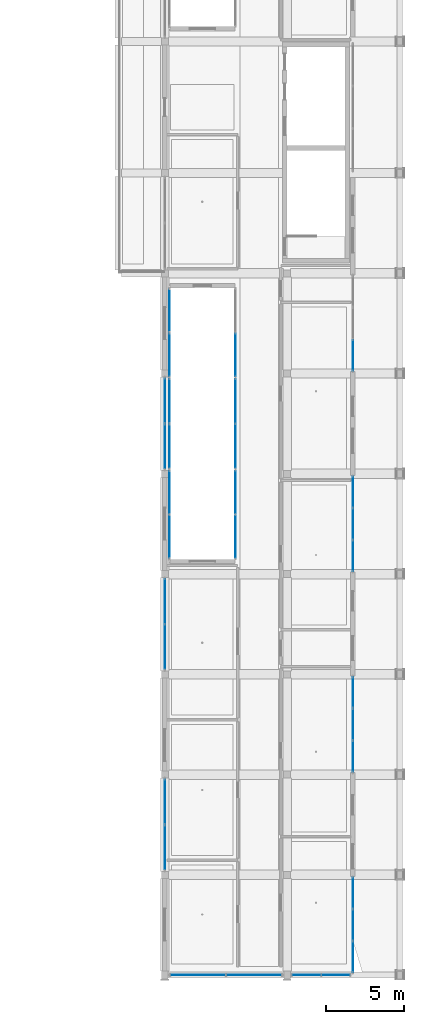
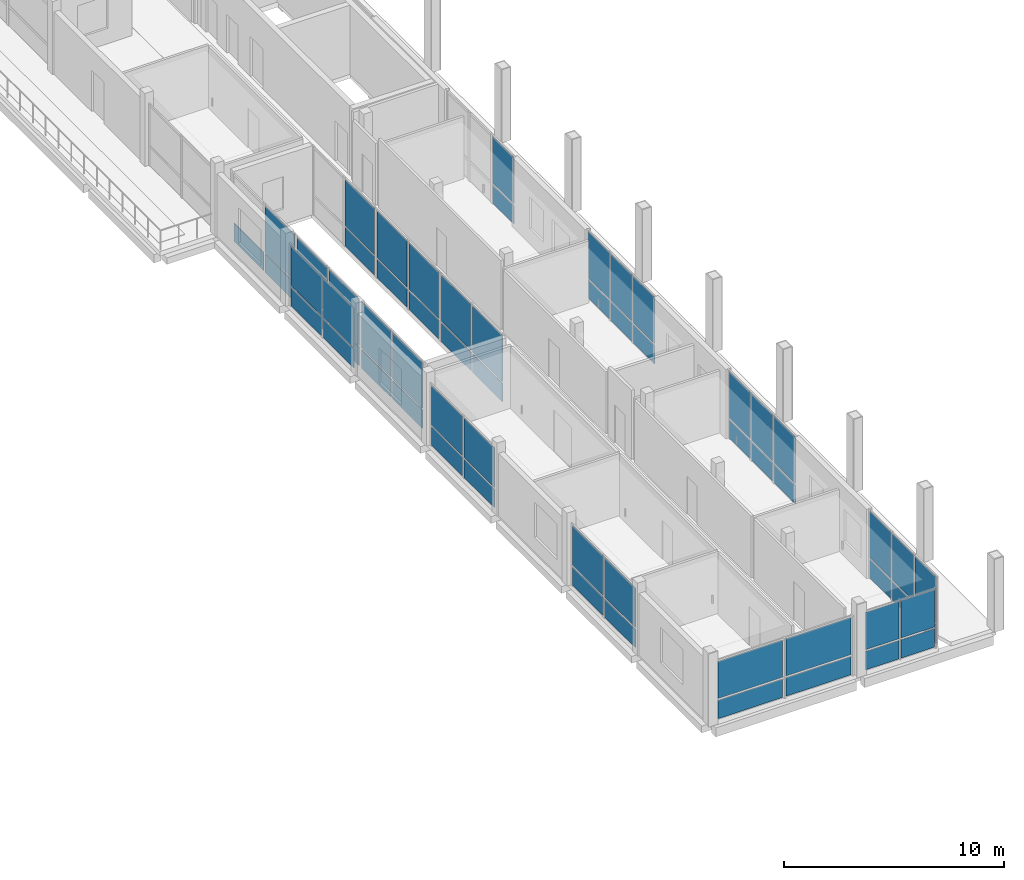
# One storey, part 19 of 48: 61 plates, 15 elements without a shape of their own.
"""IFC4 building model written with IfcOpenShell, lengths in metres."""

from ifc_helpers import new_model, si_unit, derived_unit, direction, frame, origin, origin_2d, place, context, subcontext, project, spatial, rectangle, extrude, material, type_object, element, aggregate, save


model = new_model("IFC4")

# Units and contexts
model_context = context("Model", 3, precision=1e-05, world=origin(), true_north=direction((0.0, 1.0)))
body_context = subcontext(model_context, "Body", "Model", "MODEL_VIEW")
ifc_project = project(units=[si_unit("LENGTHUNIT", "METRE"), si_unit("AREAUNIT", "SQUARE_METRE"), si_unit("VOLUMEUNIT", "CUBIC_METRE"), si_unit("PLANEANGLEUNIT", "RADIAN"), si_unit("MASSUNIT", "GRAM", prefix="KILO"), derived_unit("THERMALTRANSMITTANCEUNIT", [(si_unit("POWERUNIT", "WATT"), 1), (si_unit("LENGTHUNIT", "METRE"), -2), (si_unit("THERMODYNAMICTEMPERATUREUNIT", "KELVIN"), -1)])], contexts=[model_context])

# Site, building, storey
site_placement = place(None, origin())
site = spatial("IfcSite", under=ifc_project, at=site_placement, CompositionType="ELEMENT")
building_placement = place(site_placement, origin())
building = spatial("IfcBuilding", under=site, at=building_placement, Name="Braskholm Square Health Centre", CompositionType="ELEMENT")
storey_placement = place(building_placement, frame((0.0, 0.0, 17.550048828125)))
storey = spatial("IfcBuildingStorey", under=building, at=storey_placement, Name="L05", CompositionType="ELEMENT", Elevation=17.550048828125)

# Curtain wall, plates
ifc_material_1 = material(Name="Low-E triple insulating glass (VLT 0.64)", Category="glass")
curtain_wall_type_1 = type_object("IfcCurtainWallType", Name="UnitisedCurtainWall6200x3800", PredefinedType="NOTDEFINED", material=ifc_material_1)
curtain_wall_1_placement = place(storey_placement, origin())
curtain_wall_1 = element("IfcCurtainWall", 1, at=curtain_wall_1_placement, inside=storey, type_object=curtain_wall_type_1, Name="East Crown unitised curtain wall CW-L05-0076", PredefinedType="NOTDEFINED")
ifc_material_2 = material(Name="Architectural bronze anodised aluminium", Category="aluminium")
plate_type_1 = type_object("IfcPlateType", Name="CurtainPanelSpandrel1850x1020", PredefinedType="CURTAIN_PANEL", material=ifc_material_2)
plate_1_placement = place(storey_placement, frame((160.800048828125, 5.3466796875, 0.050048828125), z_axis=(0.0, 0.0, 1.0), x_axis=(0.0, 1.0, 0.0)))
plate_1 = element("IfcPlate", 2, at=plate_1_placement, type_object=plate_type_1, Name="CW-L05-0076 spandrel panel 1", PredefinedType="CURTAIN_PANEL", context=body_context, shape_type="SweptSolid", body=[
    extrude(rectangle(XDim=1.93017578125, YDim=0.035888671875, at=origin_2d()), origin(), (0.0, 0.0, 1.0), 1.02001953125),
])
plate_2_placement = place(storey_placement, frame((160.800048828125, 7.39990234375, 0.050048828125), z_axis=(0.0, 0.0, 1.0), x_axis=(0.0, 1.0, 0.0)))
plate_2 = element("IfcPlate", 3, at=plate_2_placement, type_object=plate_type_1, Name="CW-L05-0076 spandrel panel 2", PredefinedType="CURTAIN_PANEL", context=body_context, shape_type="SweptSolid", body=[
    extrude(rectangle(XDim=1.93017578125, YDim=0.035888671875, at=origin_2d()), origin(), (0.0, 0.0, 1.0), 1.02001953125),
])
plate_3_placement = place(storey_placement, frame((160.800048828125, 9.453369140625, 0.050048828125), z_axis=(0.0, 0.0, 1.0), x_axis=(0.0, 1.0, 0.0)))
plate_3 = element("IfcPlate", 4, at=plate_3_placement, type_object=plate_type_1, Name="CW-L05-0076 spandrel panel 3", PredefinedType="CURTAIN_PANEL", context=body_context, shape_type="SweptSolid", body=[
    extrude(rectangle(XDim=1.93017578125, YDim=0.035888671875, at=origin_2d()), origin(), (0.0, 0.0, 1.0), 1.02001953125),
])

curtain_wall_2_placement = place(storey_placement, origin())
curtain_wall_2 = element("IfcCurtainWall", 5, at=curtain_wall_2_placement, inside=storey, type_object=curtain_wall_type_1, Name="East Crown unitised curtain wall CW-L05-0077", PredefinedType="NOTDEFINED")
plate_4_placement = place(storey_placement, frame((160.800048828125, 18.146728515625, 0.050048828125), z_axis=(0.0, 0.0, 1.0), x_axis=(0.0, 1.0, 0.0)))
plate_4 = element("IfcPlate", 6, at=plate_4_placement, type_object=plate_type_1, Name="CW-L05-0077 spandrel panel 1", PredefinedType="CURTAIN_PANEL", context=body_context, shape_type="SweptSolid", body=[
    extrude(rectangle(XDim=1.93017578125, YDim=0.035888671875, at=origin_2d()), origin(), (0.0, 0.0, 1.0), 1.02001953125),
])
plate_5_placement = place(storey_placement, frame((160.800048828125, 20.199951171875, 0.050048828125), z_axis=(0.0, 0.0, 1.0), x_axis=(0.0, 1.0, 0.0)))
plate_5 = element("IfcPlate", 7, at=plate_5_placement, type_object=plate_type_1, Name="CW-L05-0077 spandrel panel 2", PredefinedType="CURTAIN_PANEL", context=body_context, shape_type="SweptSolid", body=[
    extrude(rectangle(XDim=1.93017578125, YDim=0.035888671875, at=origin_2d()), origin(), (0.0, 0.0, 1.0), 1.02001953125),
])
plate_6_placement = place(storey_placement, frame((160.800048828125, 22.25341796875, 0.050048828125), z_axis=(0.0, 0.0, 1.0), x_axis=(0.0, 1.0, 0.0)))
plate_6 = element("IfcPlate", 8, at=plate_6_placement, type_object=plate_type_1, Name="CW-L05-0077 spandrel panel 3", PredefinedType="CURTAIN_PANEL", context=body_context, shape_type="SweptSolid", body=[
    extrude(rectangle(XDim=1.93017578125, YDim=0.035888671875, at=origin_2d()), origin(), (0.0, 0.0, 1.0), 1.02001953125),
])

curtain_wall_3_placement = place(storey_placement, origin())
curtain_wall_3 = element("IfcCurtainWall", 9, at=curtain_wall_3_placement, inside=storey, type_object=curtain_wall_type_1, Name="East Crown unitised curtain wall CW-L05-0078", PredefinedType="NOTDEFINED")
plate_7_placement = place(storey_placement, frame((160.800048828125, 30.94677734375, 0.050048828125), z_axis=(0.0, 0.0, 1.0), x_axis=(0.0, 1.0, 0.0)))
plate_7 = element("IfcPlate", 10, at=plate_7_placement, type_object=plate_type_1, Name="CW-L05-0078 spandrel panel 1", PredefinedType="CURTAIN_PANEL", context=body_context, shape_type="SweptSolid", body=[
    extrude(rectangle(XDim=1.93017578125, YDim=0.035888671875, at=origin_2d()), origin(), (0.0, 0.0, 1.0), 1.02001953125),
])
plate_8_placement = place(storey_placement, frame((160.800048828125, 33.0, 0.050048828125), z_axis=(0.0, 0.0, 1.0), x_axis=(0.0, 1.0, 0.0)))
plate_8 = element("IfcPlate", 11, at=plate_8_placement, type_object=plate_type_1, Name="CW-L05-0078 spandrel panel 2", PredefinedType="CURTAIN_PANEL", context=body_context, shape_type="SweptSolid", body=[
    extrude(rectangle(XDim=1.93017578125, YDim=0.035888671875, at=origin_2d()), origin(), (0.0, 0.0, 1.0), 1.02001953125),
])
plate_9_placement = place(storey_placement, frame((160.800048828125, 35.05322265625, 0.050048828125), z_axis=(0.0, 0.0, 1.0), x_axis=(0.0, 1.0, 0.0)))
plate_9 = element("IfcPlate", 12, at=plate_9_placement, type_object=plate_type_1, Name="CW-L05-0078 spandrel panel 3", PredefinedType="CURTAIN_PANEL", context=body_context, shape_type="SweptSolid", body=[
    extrude(rectangle(XDim=1.93017578125, YDim=0.035888671875, at=origin_2d()), origin(), (0.0, 0.0, 1.0), 1.02001953125),
])

# Curtain wall, plate
curtain_wall_4_placement = place(storey_placement, origin())
curtain_wall_4 = element("IfcCurtainWall", 13, at=curtain_wall_4_placement, inside=storey, type_object=curtain_wall_type_1, Name="East Crown unitised curtain wall CW-L05-0079", PredefinedType="NOTDEFINED")
plate_10_placement = place(storey_placement, frame((160.800048828125, 43.74658203125, 0.050048828125), z_axis=(0.0, 0.0, 1.0), x_axis=(0.0, 1.0, 0.0)))
plate_10 = element("IfcPlate", 14, at=plate_10_placement, type_object=plate_type_1, Name="CW-L05-0079 spandrel panel 1", PredefinedType="CURTAIN_PANEL", context=body_context, shape_type="SweptSolid", body=[
    extrude(rectangle(XDim=1.93017578125, YDim=0.035888671875, at=origin_2d()), origin(), (0.0, 0.0, 1.0), 1.02001953125),
])

# Curtain wall, plates
curtain_wall_type_2 = type_object("IfcCurtainWallType", Name="UnitisedCurtainWall3600x3650", PredefinedType="NOTDEFINED", material=ifc_material_1)
curtain_wall_5_placement = place(storey_placement, origin())
curtain_wall_5 = element("IfcCurtainWall", 15, at=curtain_wall_5_placement, inside=storey, type_object=curtain_wall_type_2, Name="Wing End unitised curtain wall CW-L05-0164", PredefinedType="NOTDEFINED")
plate_11_placement = place(storey_placement, frame((157.836181640625, 4.199951171875, 0.050048828125), z_axis=(0.0, 0.0, 1.0), x_axis=(1.0, 0.0, 0.0)))
plate_11 = element("IfcPlate", 16, at=plate_11_placement, type_object=plate_type_1, Name="CW-L05-0164 spandrel panel 1", PredefinedType="CURTAIN_PANEL", context=body_context, shape_type="SweptSolid", body=[
    extrude(rectangle(XDim=1.776611328125, YDim=0.035888671875, at=origin_2d()), origin(), (0.0, 0.0, 1.0), 1.02001953125),
])
plate_12_placement = place(storey_placement, frame((159.70361328125, 4.199951171875, 0.050048828125), z_axis=(0.0, 0.0, 1.0), x_axis=(1.0, 0.0, 0.0)))
plate_12 = element("IfcPlate", 17, at=plate_12_placement, type_object=plate_type_1, Name="CW-L05-0164 spandrel panel 2", PredefinedType="CURTAIN_PANEL", context=body_context, shape_type="SweptSolid", body=[
    extrude(rectangle(XDim=1.776611328125, YDim=0.035888671875, at=origin_2d()), origin(), (0.0, 0.0, 1.0), 1.02001953125),
])

curtain_wall_type_3 = type_object("IfcCurtainWallType", Name="UnitisedCurtainWall6200x3650", PredefinedType="NOTDEFINED", material=ifc_material_1)
curtain_wall_6_placement = place(storey_placement, origin())
curtain_wall_6 = element("IfcCurtainWall", 18, at=curtain_wall_6_placement, inside=storey, type_object=curtain_wall_type_3, Name="East Valley unitised curtain wall CW-L05-0137", PredefinedType="NOTDEFINED")
plate_type_2 = type_object("IfcPlateType", Name="CurtainPanelSpandrel2750x1020", PredefinedType="CURTAIN_PANEL", material=ifc_material_2)
plate_13_placement = place(storey_placement, frame((148.800048828125, 15.26220703125, 0.050048828125), z_axis=(0.0, 0.0, 1.0), x_axis=(0.0, -1.0, 0.0)))
plate_13 = element("IfcPlate", 19, at=plate_13_placement, type_object=plate_type_2, Name="CW-L05-0137 spandrel panel 1", PredefinedType="CURTAIN_PANEL", context=body_context, shape_type="SweptSolid", body=[
    extrude(rectangle(XDim=2.782470703125, YDim=0.035888671875, at=origin_2d()), origin(), (0.0, 0.0, 1.0), 1.02001953125),
])
plate_14_placement = place(storey_placement, frame((148.800048828125, 12.337890625, 0.050048828125), z_axis=(0.0, 0.0, 1.0), x_axis=(0.0, -1.0, 0.0)))
plate_14 = element("IfcPlate", 20, at=plate_14_placement, type_object=plate_type_2, Name="CW-L05-0137 spandrel panel 2", PredefinedType="CURTAIN_PANEL", context=body_context, shape_type="SweptSolid", body=[
    extrude(rectangle(XDim=2.782470703125, YDim=0.035888671875, at=origin_2d()), origin(), (0.0, 0.0, 1.0), 1.02001953125),
])

curtain_wall_7_placement = place(storey_placement, origin())
curtain_wall_7 = element("IfcCurtainWall", 21, at=curtain_wall_7_placement, inside=storey, type_object=curtain_wall_type_3, Name="East Valley unitised curtain wall CW-L05-0138", PredefinedType="NOTDEFINED")
plate_15_placement = place(storey_placement, frame((148.800048828125, 28.062255859375, 0.050048828125), z_axis=(0.0, 0.0, 1.0), x_axis=(0.0, -1.0, 0.0)))
plate_15 = element("IfcPlate", 22, at=plate_15_placement, type_object=plate_type_2, Name="CW-L05-0138 spandrel panel 1", PredefinedType="CURTAIN_PANEL", context=body_context, shape_type="SweptSolid", body=[
    extrude(rectangle(XDim=2.782470703125, YDim=0.035888671875, at=origin_2d()), origin(), (0.0, 0.0, 1.0), 1.02001953125),
])
plate_16_placement = place(storey_placement, frame((148.800048828125, 25.1376953125, 0.050048828125), z_axis=(0.0, 0.0, 1.0), x_axis=(0.0, -1.0, 0.0)))
plate_16 = element("IfcPlate", 23, at=plate_16_placement, type_object=plate_type_2, Name="CW-L05-0138 spandrel panel 2", PredefinedType="CURTAIN_PANEL", context=body_context, shape_type="SweptSolid", body=[
    extrude(rectangle(XDim=2.782470703125, YDim=0.035888671875, at=origin_2d()), origin(), (0.0, 0.0, 1.0), 1.02001953125),
])

curtain_wall_8_placement = place(storey_placement, origin())
curtain_wall_8 = element("IfcCurtainWall", 24, at=curtain_wall_8_placement, inside=storey, type_object=curtain_wall_type_3, Name="East Valley unitised curtain wall CW-L05-0139", PredefinedType="NOTDEFINED")
plate_17_placement = place(storey_placement, frame((148.800048828125, 40.8623046875, 0.050048828125), z_axis=(0.0, 0.0, 1.0), x_axis=(0.0, -1.0, 0.0)))
plate_17 = element("IfcPlate", 25, at=plate_17_placement, type_object=plate_type_2, Name="CW-L05-0139 spandrel panel 1", PredefinedType="CURTAIN_PANEL", context=body_context, shape_type="SweptSolid", body=[
    extrude(rectangle(XDim=2.782470703125, YDim=0.035888671875, at=origin_2d()), origin(), (0.0, 0.0, 1.0), 1.02001953125),
])
plate_18_placement = place(storey_placement, frame((148.800048828125, 37.937744140625, 0.050048828125), z_axis=(0.0, 0.0, 1.0), x_axis=(0.0, -1.0, 0.0)))
plate_18 = element("IfcPlate", 26, at=plate_18_placement, type_object=plate_type_2, Name="CW-L05-0139 spandrel panel 2", PredefinedType="CURTAIN_PANEL", context=body_context, shape_type="SweptSolid", body=[
    extrude(rectangle(XDim=2.782470703125, YDim=0.035888671875, at=origin_2d()), origin(), (0.0, 0.0, 1.0), 1.02001953125),
])

curtain_wall_type_4 = type_object("IfcCurtainWallType", Name="UnitisedCurtainWall5400x3800", PredefinedType="NOTDEFINED", material=ifc_material_1)
curtain_wall_9_placement = place(storey_placement, origin())
curtain_wall_9 = element("IfcCurtainWall", 27, at=curtain_wall_9_placement, inside=storey, type_object=curtain_wall_type_4, Name="EC1 Court W unitised curtain wall CW-L05-0345", PredefinedType="NOTDEFINED")
plate_19_placement = place(storey_placement, frame((149.10009765625, 32.187744140625, 0.050048828125), z_axis=(0.0, 0.0, 1.0), x_axis=(0.0, 1.0, 0.0)))
plate_19 = element("IfcPlate", 28, at=plate_19_placement, type_object=plate_type_2, Name="CW-L05-0345 spandrel panel 1", PredefinedType="CURTAIN_PANEL", context=body_context, shape_type="SweptSolid", body=[
    extrude(rectangle(XDim=2.689208984375, YDim=0.035888671875, at=origin_2d()), origin(), (0.0, 0.0, 1.0), 1.02001953125),
])
plate_20_placement = place(storey_placement, frame((149.10009765625, 35.014404296875, 0.050048828125), z_axis=(0.0, 0.0, 1.0), x_axis=(0.0, 1.0, 0.0)))
plate_20 = element("IfcPlate", 29, at=plate_20_placement, type_object=plate_type_2, Name="CW-L05-0345 spandrel panel 2", PredefinedType="CURTAIN_PANEL", context=body_context, shape_type="SweptSolid", body=[
    extrude(rectangle(XDim=2.689208984375, YDim=0.035888671875, at=origin_2d()), origin(), (0.0, 0.0, 1.0), 1.02001953125),
])

curtain_wall_10_placement = place(storey_placement, origin())
curtain_wall_10 = element("IfcCurtainWall", 30, at=curtain_wall_10_placement, inside=storey, type_object=curtain_wall_type_4, Name="EC1 Court E unitised curtain wall CW-L05-0346", PredefinedType="NOTDEFINED")
plate_21_placement = place(storey_placement, frame((153.300048828125, 35.014404296875, 0.050048828125), z_axis=(0.0, 0.0, 1.0), x_axis=(0.0, -1.0, 0.0)))
plate_21 = element("IfcPlate", 31, at=plate_21_placement, type_object=plate_type_2, Name="CW-L05-0346 spandrel panel 1", PredefinedType="CURTAIN_PANEL", context=body_context, shape_type="SweptSolid", body=[
    extrude(rectangle(XDim=2.689208984375, YDim=0.035888671875, at=origin_2d()), origin(), (0.0, 0.0, 1.0), 1.02001953125),
])
plate_22_placement = place(storey_placement, frame((153.300048828125, 32.187744140625, 0.050048828125), z_axis=(0.0, 0.0, 1.0), x_axis=(0.0, -1.0, 0.0)))
plate_22 = element("IfcPlate", 32, at=plate_22_placement, type_object=plate_type_2, Name="CW-L05-0346 spandrel panel 2", PredefinedType="CURTAIN_PANEL", context=body_context, shape_type="SweptSolid", body=[
    extrude(rectangle(XDim=2.689208984375, YDim=0.035888671875, at=origin_2d()), origin(), (0.0, 0.0, 1.0), 1.02001953125),
])

curtain_wall_11_placement = place(storey_placement, origin())
curtain_wall_11 = element("IfcCurtainWall", 33, at=curtain_wall_11_placement, inside=storey, type_object=curtain_wall_type_1, Name="EC1 Court W unitised curtain wall CW-L05-0347", PredefinedType="NOTDEFINED")
plate_23_placement = place(storey_placement, frame((149.10009765625, 37.95361328125, 0.050048828125), z_axis=(0.0, 0.0, 1.0), x_axis=(0.0, 1.0, 0.0)))
plate_23 = element("IfcPlate", 34, at=plate_23_placement, type_object=plate_type_2, Name="CW-L05-0347 spandrel panel 1", PredefinedType="CURTAIN_PANEL", context=body_context, shape_type="SweptSolid", body=[
    extrude(rectangle(XDim=2.752197265625, YDim=0.035888671875, at=origin_2d()), origin(), (0.0, 0.0, 1.0), 1.02001953125),
])
plate_24_placement = place(storey_placement, frame((149.10009765625, 40.846435546875, 0.050048828125), z_axis=(0.0, 0.0, 1.0), x_axis=(0.0, 1.0, 0.0)))
plate_24 = element("IfcPlate", 35, at=plate_24_placement, type_object=plate_type_2, Name="CW-L05-0347 spandrel panel 2", PredefinedType="CURTAIN_PANEL", context=body_context, shape_type="SweptSolid", body=[
    extrude(rectangle(XDim=2.752197265625, YDim=0.035888671875, at=origin_2d()), origin(), (0.0, 0.0, 1.0), 1.02001953125),
])

curtain_wall_12_placement = place(storey_placement, origin())
curtain_wall_12 = element("IfcCurtainWall", 36, at=curtain_wall_12_placement, inside=storey, type_object=curtain_wall_type_1, Name="EC1 Court E unitised curtain wall CW-L05-0348", PredefinedType="NOTDEFINED")
plate_25_placement = place(storey_placement, frame((153.300048828125, 40.846435546875, 0.050048828125), z_axis=(0.0, 0.0, 1.0), x_axis=(0.0, -1.0, 0.0)))
plate_25 = element("IfcPlate", 37, at=plate_25_placement, type_object=plate_type_2, Name="CW-L05-0348 spandrel panel 1", PredefinedType="CURTAIN_PANEL", context=body_context, shape_type="SweptSolid", body=[
    extrude(rectangle(XDim=2.752197265625, YDim=0.035888671875, at=origin_2d()), origin(), (0.0, 0.0, 1.0), 1.02001953125),
])
plate_26_placement = place(storey_placement, frame((153.300048828125, 37.95361328125, 0.050048828125), z_axis=(0.0, 0.0, 1.0), x_axis=(0.0, -1.0, 0.0)))
plate_26 = element("IfcPlate", 38, at=plate_26_placement, type_object=plate_type_2, Name="CW-L05-0348 spandrel panel 2", PredefinedType="CURTAIN_PANEL", context=body_context, shape_type="SweptSolid", body=[
    extrude(rectangle(XDim=2.752197265625, YDim=0.035888671875, at=origin_2d()), origin(), (0.0, 0.0, 1.0), 1.02001953125),
])

curtain_wall_13_placement = place(storey_placement, origin())
curtain_wall_13 = element("IfcCurtainWall", 39, at=curtain_wall_13_placement, inside=storey, type_object=curtain_wall_type_4, Name="EC1 Court W unitised curtain wall CW-L05-0349", PredefinedType="NOTDEFINED")
plate_27_placement = place(storey_placement, frame((149.10009765625, 43.78564453125, 0.050048828125), z_axis=(0.0, 0.0, 1.0), x_axis=(0.0, 1.0, 0.0)))
plate_27 = element("IfcPlate", 40, at=plate_27_placement, type_object=plate_type_2, Name="CW-L05-0349 spandrel panel 1", PredefinedType="CURTAIN_PANEL", context=body_context, shape_type="SweptSolid", body=[
    extrude(rectangle(XDim=2.689208984375, YDim=0.035888671875, at=origin_2d()), origin(), (0.0, 0.0, 1.0), 1.02001953125),
])
plate_28_placement = place(storey_placement, frame((149.10009765625, 46.6123046875, 0.050048828125), z_axis=(0.0, 0.0, 1.0), x_axis=(0.0, 1.0, 0.0)))
plate_28 = element("IfcPlate", 41, at=plate_28_placement, type_object=plate_type_2, Name="CW-L05-0349 spandrel panel 2", PredefinedType="CURTAIN_PANEL", context=body_context, shape_type="SweptSolid", body=[
    extrude(rectangle(XDim=2.689208984375, YDim=0.035888671875, at=origin_2d()), origin(), (0.0, 0.0, 1.0), 1.02001953125),
])

# Curtain wall, plate
curtain_wall_14_placement = place(storey_placement, origin())
curtain_wall_14 = element("IfcCurtainWall", 42, at=curtain_wall_14_placement, inside=storey, type_object=curtain_wall_type_4, Name="EC1 Court E unitised curtain wall CW-L05-0350", PredefinedType="NOTDEFINED")
plate_29_placement = place(storey_placement, frame((153.300048828125, 43.78564453125, 0.050048828125), z_axis=(0.0, 0.0, 1.0), x_axis=(0.0, -1.0, 0.0)))
plate_29 = element("IfcPlate", 43, at=plate_29_placement, type_object=plate_type_2, Name="CW-L05-0350 spandrel panel 2", PredefinedType="CURTAIN_PANEL", context=body_context, shape_type="SweptSolid", body=[
    extrude(rectangle(XDim=2.689208984375, YDim=0.035888671875, at=origin_2d()), origin(), (0.0, 0.0, 1.0), 1.02001953125),
])

# Curtain wall, plates
curtain_wall_15_placement = place(storey_placement, origin())
curtain_wall_15 = element("IfcCurtainWall", 44, at=curtain_wall_15_placement, inside=storey, type_object=curtain_wall_type_3, Name="Wing End unitised curtain wall CW-L05-0163", PredefinedType="NOTDEFINED")
plate_type_3 = type_object("IfcPlateType", Name="CurtainPanelSpandrel3150x1020", PredefinedType="CURTAIN_PANEL", material=ifc_material_2)
plate_30_placement = place(storey_placement, frame((150.91162109375, 4.199951171875, 0.050048828125), z_axis=(0.0, 0.0, 1.0), x_axis=(1.0, 0.0, 0.0)))
plate_30 = element("IfcPlate", 45, at=plate_30_placement, type_object=plate_type_3, Name="CW-L05-0163 spandrel panel 1", PredefinedType="CURTAIN_PANEL", context=body_context, shape_type="SweptSolid", body=[
    extrude(rectangle(XDim=3.40283203125, YDim=0.035888671875, at=origin_2d()), origin(), (0.0, 0.0, 1.0), 1.02001953125),
])
plate_31_placement = place(storey_placement, frame((154.48828125, 4.199951171875, 0.050048828125), z_axis=(0.0, 0.0, 1.0), x_axis=(1.0, 0.0, 0.0)))
plate_31 = element("IfcPlate", 46, at=plate_31_placement, type_object=plate_type_3, Name="CW-L05-0163 spandrel panel 2", PredefinedType="CURTAIN_PANEL", context=body_context, shape_type="SweptSolid", body=[
    extrude(rectangle(XDim=3.40283203125, YDim=0.035888671875, at=origin_2d()), origin(), (0.0, 0.0, 1.0), 1.02001953125),
])

# Plate
plate_type_4 = type_object("IfcPlateType", Name="CurtainPanelVision1850x2120", PredefinedType="CURTAIN_PANEL", material=ifc_material_1)
plate_32_placement = place(storey_placement, frame((157.836181640625, 4.199951171875, 1.169921875), z_axis=(0.0, 0.0, 1.0), x_axis=(1.0, 0.0, 0.0)))
plate_32 = element("IfcPlate", 47, at=plate_32_placement, type_object=plate_type_4, Name="CW-L05-0164 vision glass panel 1", PredefinedType="CURTAIN_PANEL", context=body_context, shape_type="SweptSolid", body=[
    extrude(rectangle(XDim=1.776611328125, YDim=0.035888671875, at=origin_2d()), origin(), (0.0, 0.0, 1.0), 2.06005859375),
])

plate_33_placement = place(storey_placement, frame((159.70361328125, 4.199951171875, 1.169921875), z_axis=(0.0, 0.0, 1.0), x_axis=(1.0, 0.0, 0.0)))
plate_33 = element("IfcPlate", 48, at=plate_33_placement, type_object=plate_type_4, Name="CW-L05-0164 vision glass panel 2", PredefinedType="CURTAIN_PANEL", context=body_context, shape_type="SweptSolid", body=[
    extrude(rectangle(XDim=1.776611328125, YDim=0.035888671875, at=origin_2d()), origin(), (0.0, 0.0, 1.0), 2.06005859375),
])

aggregate(curtain_wall_5, [plate_11, plate_32, plate_12, plate_33])

plate_type_5 = type_object("IfcPlateType", Name="CurtainPanelVision1850x2520", PredefinedType="CURTAIN_PANEL", material=ifc_material_1)
plate_34_placement = place(storey_placement, frame((160.800048828125, 5.3466796875, 1.169921875), z_axis=(0.0, 0.0, 1.0), x_axis=(0.0, 1.0, 0.0)))
plate_34 = element("IfcPlate", 49, at=plate_34_placement, type_object=plate_type_5, Name="CW-L05-0076 vision glass panel 1", PredefinedType="CURTAIN_PANEL", context=body_context, shape_type="SweptSolid", body=[
    extrude(rectangle(XDim=1.93017578125, YDim=0.035888671875, at=origin_2d()), origin(), (0.0, 0.0, 1.0), 2.56005859375),
])

plate_35_placement = place(storey_placement, frame((160.800048828125, 7.39990234375, 1.169921875), z_axis=(0.0, 0.0, 1.0), x_axis=(0.0, 1.0, 0.0)))
plate_35 = element("IfcPlate", 50, at=plate_35_placement, type_object=plate_type_5, Name="CW-L05-0076 vision glass panel 2", PredefinedType="CURTAIN_PANEL", context=body_context, shape_type="SweptSolid", body=[
    extrude(rectangle(XDim=1.93017578125, YDim=0.035888671875, at=origin_2d()), origin(), (0.0, 0.0, 1.0), 2.56005859375),
])

plate_36_placement = place(storey_placement, frame((160.800048828125, 9.453369140625, 1.169921875), z_axis=(0.0, 0.0, 1.0), x_axis=(0.0, 1.0, 0.0)))
plate_36 = element("IfcPlate", 51, at=plate_36_placement, type_object=plate_type_5, Name="CW-L05-0076 vision glass panel 3", PredefinedType="CURTAIN_PANEL", context=body_context, shape_type="SweptSolid", body=[
    extrude(rectangle(XDim=1.93017578125, YDim=0.035888671875, at=origin_2d()), origin(), (0.0, 0.0, 1.0), 2.56005859375),
])

aggregate(curtain_wall_1, [plate_1, plate_34, plate_2, plate_35, plate_3, plate_36])

plate_37_placement = place(storey_placement, frame((160.800048828125, 18.146728515625, 1.169921875), z_axis=(0.0, 0.0, 1.0), x_axis=(0.0, 1.0, 0.0)))
plate_37 = element("IfcPlate", 52, at=plate_37_placement, type_object=plate_type_5, Name="CW-L05-0077 vision glass panel 1", PredefinedType="CURTAIN_PANEL", context=body_context, shape_type="SweptSolid", body=[
    extrude(rectangle(XDim=1.93017578125, YDim=0.035888671875, at=origin_2d()), origin(), (0.0, 0.0, 1.0), 2.56005859375),
])

plate_38_placement = place(storey_placement, frame((160.800048828125, 20.199951171875, 1.169921875), z_axis=(0.0, 0.0, 1.0), x_axis=(0.0, 1.0, 0.0)))
plate_38 = element("IfcPlate", 53, at=plate_38_placement, type_object=plate_type_5, Name="CW-L05-0077 vision glass panel 2", PredefinedType="CURTAIN_PANEL", context=body_context, shape_type="SweptSolid", body=[
    extrude(rectangle(XDim=1.93017578125, YDim=0.035888671875, at=origin_2d()), origin(), (0.0, 0.0, 1.0), 2.56005859375),
])

plate_39_placement = place(storey_placement, frame((160.800048828125, 22.25341796875, 1.169921875), z_axis=(0.0, 0.0, 1.0), x_axis=(0.0, 1.0, 0.0)))
plate_39 = element("IfcPlate", 54, at=plate_39_placement, type_object=plate_type_5, Name="CW-L05-0077 vision glass panel 3", PredefinedType="CURTAIN_PANEL", context=body_context, shape_type="SweptSolid", body=[
    extrude(rectangle(XDim=1.93017578125, YDim=0.035888671875, at=origin_2d()), origin(), (0.0, 0.0, 1.0), 2.56005859375),
])

aggregate(curtain_wall_2, [plate_4, plate_37, plate_5, plate_38, plate_6, plate_39])

plate_40_placement = place(storey_placement, frame((160.800048828125, 30.94677734375, 1.169921875), z_axis=(0.0, 0.0, 1.0), x_axis=(0.0, 1.0, 0.0)))
plate_40 = element("IfcPlate", 55, at=plate_40_placement, type_object=plate_type_5, Name="CW-L05-0078 vision glass panel 1", PredefinedType="CURTAIN_PANEL", context=body_context, shape_type="SweptSolid", body=[
    extrude(rectangle(XDim=1.93017578125, YDim=0.035888671875, at=origin_2d()), origin(), (0.0, 0.0, 1.0), 2.56005859375),
])

plate_41_placement = place(storey_placement, frame((160.800048828125, 33.0, 1.169921875), z_axis=(0.0, 0.0, 1.0), x_axis=(0.0, 1.0, 0.0)))
plate_41 = element("IfcPlate", 56, at=plate_41_placement, type_object=plate_type_5, Name="CW-L05-0078 vision glass panel 2", PredefinedType="CURTAIN_PANEL", context=body_context, shape_type="SweptSolid", body=[
    extrude(rectangle(XDim=1.93017578125, YDim=0.035888671875, at=origin_2d()), origin(), (0.0, 0.0, 1.0), 2.56005859375),
])

plate_42_placement = place(storey_placement, frame((160.800048828125, 35.05322265625, 1.169921875), z_axis=(0.0, 0.0, 1.0), x_axis=(0.0, 1.0, 0.0)))
plate_42 = element("IfcPlate", 57, at=plate_42_placement, type_object=plate_type_5, Name="CW-L05-0078 vision glass panel 3", PredefinedType="CURTAIN_PANEL", context=body_context, shape_type="SweptSolid", body=[
    extrude(rectangle(XDim=1.93017578125, YDim=0.035888671875, at=origin_2d()), origin(), (0.0, 0.0, 1.0), 2.56005859375),
])

aggregate(curtain_wall_3, [plate_7, plate_40, plate_8, plate_41, plate_9, plate_42])

plate_43_placement = place(storey_placement, frame((160.800048828125, 43.74658203125, 1.169921875), z_axis=(0.0, 0.0, 1.0), x_axis=(0.0, 1.0, 0.0)))
plate_43 = element("IfcPlate", 58, at=plate_43_placement, type_object=plate_type_5, Name="CW-L05-0079 vision glass panel 1", PredefinedType="CURTAIN_PANEL", context=body_context, shape_type="SweptSolid", body=[
    extrude(rectangle(XDim=1.93017578125, YDim=0.035888671875, at=origin_2d()), origin(), (0.0, 0.0, 1.0), 2.56005859375),
])

aggregate(curtain_wall_4, [plate_10, plate_43])

plate_type_6 = type_object("IfcPlateType", Name="CurtainPanelVision2750x2120", PredefinedType="CURTAIN_PANEL", material=ifc_material_1)
plate_44_placement = place(storey_placement, frame((148.800048828125, 15.26220703125, 1.169921875), z_axis=(0.0, 0.0, 1.0), x_axis=(0.0, -1.0, 0.0)))
plate_44 = element("IfcPlate", 59, at=plate_44_placement, type_object=plate_type_6, Name="CW-L05-0137 vision glass panel 1", PredefinedType="CURTAIN_PANEL", context=body_context, shape_type="SweptSolid", body=[
    extrude(rectangle(XDim=2.782470703125, YDim=0.035888671875, at=origin_2d()), origin(), (0.0, 0.0, 1.0), 2.179931640625),
])

plate_45_placement = place(storey_placement, frame((148.800048828125, 12.337890625, 1.169921875), z_axis=(0.0, 0.0, 1.0), x_axis=(0.0, -1.0, 0.0)))
plate_45 = element("IfcPlate", 60, at=plate_45_placement, type_object=plate_type_6, Name="CW-L05-0137 vision glass panel 2", PredefinedType="CURTAIN_PANEL", context=body_context, shape_type="SweptSolid", body=[
    extrude(rectangle(XDim=2.782470703125, YDim=0.035888671875, at=origin_2d()), origin(), (0.0, 0.0, 1.0), 2.179931640625),
])

aggregate(curtain_wall_6, [plate_13, plate_44, plate_14, plate_45])

plate_46_placement = place(storey_placement, frame((148.800048828125, 28.062255859375, 1.169921875), z_axis=(0.0, 0.0, 1.0), x_axis=(0.0, -1.0, 0.0)))
plate_46 = element("IfcPlate", 61, at=plate_46_placement, type_object=plate_type_6, Name="CW-L05-0138 vision glass panel 1", PredefinedType="CURTAIN_PANEL", context=body_context, shape_type="SweptSolid", body=[
    extrude(rectangle(XDim=2.782470703125, YDim=0.035888671875, at=origin_2d()), origin(), (0.0, 0.0, 1.0), 2.179931640625),
])

plate_47_placement = place(storey_placement, frame((148.800048828125, 25.1376953125, 1.169921875), z_axis=(0.0, 0.0, 1.0), x_axis=(0.0, -1.0, 0.0)))
plate_47 = element("IfcPlate", 62, at=plate_47_placement, type_object=plate_type_6, Name="CW-L05-0138 vision glass panel 2", PredefinedType="CURTAIN_PANEL", context=body_context, shape_type="SweptSolid", body=[
    extrude(rectangle(XDim=2.782470703125, YDim=0.035888671875, at=origin_2d()), origin(), (0.0, 0.0, 1.0), 2.179931640625),
])

aggregate(curtain_wall_7, [plate_15, plate_46, plate_16, plate_47])

plate_48_placement = place(storey_placement, frame((148.800048828125, 40.8623046875, 1.169921875), z_axis=(0.0, 0.0, 1.0), x_axis=(0.0, -1.0, 0.0)))
plate_48 = element("IfcPlate", 63, at=plate_48_placement, type_object=plate_type_6, Name="CW-L05-0139 vision glass panel 1", PredefinedType="CURTAIN_PANEL", context=body_context, shape_type="SweptSolid", body=[
    extrude(rectangle(XDim=2.782470703125, YDim=0.035888671875, at=origin_2d()), origin(), (0.0, 0.0, 1.0), 2.179931640625),
])

plate_49_placement = place(storey_placement, frame((148.800048828125, 37.937744140625, 1.169921875), z_axis=(0.0, 0.0, 1.0), x_axis=(0.0, -1.0, 0.0)))
plate_49 = element("IfcPlate", 64, at=plate_49_placement, type_object=plate_type_6, Name="CW-L05-0139 vision glass panel 2", PredefinedType="CURTAIN_PANEL", context=body_context, shape_type="SweptSolid", body=[
    extrude(rectangle(XDim=2.782470703125, YDim=0.035888671875, at=origin_2d()), origin(), (0.0, 0.0, 1.0), 2.179931640625),
])

aggregate(curtain_wall_8, [plate_17, plate_48, plate_18, plate_49])

plate_type_7 = type_object("IfcPlateType", Name="CurtainPanelVision2750x2520", PredefinedType="CURTAIN_PANEL", material=ifc_material_1)
plate_50_placement = place(storey_placement, frame((149.10009765625, 32.187744140625, 1.169921875), z_axis=(0.0, 0.0, 1.0), x_axis=(0.0, 1.0, 0.0)))
plate_50 = element("IfcPlate", 65, at=plate_50_placement, type_object=plate_type_7, Name="CW-L05-0345 vision glass panel 1", PredefinedType="CURTAIN_PANEL", context=body_context, shape_type="SweptSolid", body=[
    extrude(rectangle(XDim=2.689208984375, YDim=0.035888671875, at=origin_2d()), origin(), (0.0, 0.0, 1.0), 2.56005859375),
])

plate_51_placement = place(storey_placement, frame((149.10009765625, 35.014404296875, 1.169921875), z_axis=(0.0, 0.0, 1.0), x_axis=(0.0, 1.0, 0.0)))
plate_51 = element("IfcPlate", 66, at=plate_51_placement, type_object=plate_type_7, Name="CW-L05-0345 vision glass panel 2", PredefinedType="CURTAIN_PANEL", context=body_context, shape_type="SweptSolid", body=[
    extrude(rectangle(XDim=2.689208984375, YDim=0.035888671875, at=origin_2d()), origin(), (0.0, 0.0, 1.0), 2.56005859375),
])

aggregate(curtain_wall_9, [plate_19, plate_50, plate_20, plate_51])

plate_52_placement = place(storey_placement, frame((153.300048828125, 35.014404296875, 1.169921875), z_axis=(0.0, 0.0, 1.0), x_axis=(0.0, -1.0, 0.0)))
plate_52 = element("IfcPlate", 67, at=plate_52_placement, type_object=plate_type_7, Name="CW-L05-0346 vision glass panel 1", PredefinedType="CURTAIN_PANEL", context=body_context, shape_type="SweptSolid", body=[
    extrude(rectangle(XDim=2.689208984375, YDim=0.035888671875, at=origin_2d()), origin(), (0.0, 0.0, 1.0), 2.56005859375),
])

plate_53_placement = place(storey_placement, frame((153.300048828125, 32.187744140625, 1.169921875), z_axis=(0.0, 0.0, 1.0), x_axis=(0.0, -1.0, 0.0)))
plate_53 = element("IfcPlate", 68, at=plate_53_placement, type_object=plate_type_7, Name="CW-L05-0346 vision glass panel 2", PredefinedType="CURTAIN_PANEL", context=body_context, shape_type="SweptSolid", body=[
    extrude(rectangle(XDim=2.689208984375, YDim=0.035888671875, at=origin_2d()), origin(), (0.0, 0.0, 1.0), 2.56005859375),
])

aggregate(curtain_wall_10, [plate_21, plate_52, plate_22, plate_53])

plate_54_placement = place(storey_placement, frame((149.10009765625, 37.95361328125, 1.169921875), z_axis=(0.0, 0.0, 1.0), x_axis=(0.0, 1.0, 0.0)))
plate_54 = element("IfcPlate", 69, at=plate_54_placement, type_object=plate_type_7, Name="CW-L05-0347 vision glass panel 1", PredefinedType="CURTAIN_PANEL", context=body_context, shape_type="SweptSolid", body=[
    extrude(rectangle(XDim=2.752197265625, YDim=0.035888671875, at=origin_2d()), origin(), (0.0, 0.0, 1.0), 2.56005859375),
])

plate_55_placement = place(storey_placement, frame((149.10009765625, 40.846435546875, 1.169921875), z_axis=(0.0, 0.0, 1.0), x_axis=(0.0, 1.0, 0.0)))
plate_55 = element("IfcPlate", 70, at=plate_55_placement, type_object=plate_type_7, Name="CW-L05-0347 vision glass panel 2", PredefinedType="CURTAIN_PANEL", context=body_context, shape_type="SweptSolid", body=[
    extrude(rectangle(XDim=2.752197265625, YDim=0.035888671875, at=origin_2d()), origin(), (0.0, 0.0, 1.0), 2.56005859375),
])

aggregate(curtain_wall_11, [plate_23, plate_54, plate_24, plate_55])

plate_56_placement = place(storey_placement, frame((153.300048828125, 40.846435546875, 1.169921875), z_axis=(0.0, 0.0, 1.0), x_axis=(0.0, -1.0, 0.0)))
plate_56 = element("IfcPlate", 71, at=plate_56_placement, type_object=plate_type_7, Name="CW-L05-0348 vision glass panel 1", PredefinedType="CURTAIN_PANEL", context=body_context, shape_type="SweptSolid", body=[
    extrude(rectangle(XDim=2.752197265625, YDim=0.035888671875, at=origin_2d()), origin(), (0.0, 0.0, 1.0), 2.56005859375),
])

plate_57_placement = place(storey_placement, frame((153.300048828125, 37.95361328125, 1.169921875), z_axis=(0.0, 0.0, 1.0), x_axis=(0.0, -1.0, 0.0)))
plate_57 = element("IfcPlate", 72, at=plate_57_placement, type_object=plate_type_7, Name="CW-L05-0348 vision glass panel 2", PredefinedType="CURTAIN_PANEL", context=body_context, shape_type="SweptSolid", body=[
    extrude(rectangle(XDim=2.752197265625, YDim=0.035888671875, at=origin_2d()), origin(), (0.0, 0.0, 1.0), 2.56005859375),
])

aggregate(curtain_wall_12, [plate_25, plate_56, plate_26, plate_57])

plate_58_placement = place(storey_placement, frame((149.10009765625, 43.78564453125, 1.169921875), z_axis=(0.0, 0.0, 1.0), x_axis=(0.0, 1.0, 0.0)))
plate_58 = element("IfcPlate", 73, at=plate_58_placement, type_object=plate_type_7, Name="CW-L05-0349 vision glass panel 1", PredefinedType="CURTAIN_PANEL", context=body_context, shape_type="SweptSolid", body=[
    extrude(rectangle(XDim=2.689208984375, YDim=0.035888671875, at=origin_2d()), origin(), (0.0, 0.0, 1.0), 2.56005859375),
])

aggregate(curtain_wall_13, [plate_27, plate_58, plate_28])

plate_59_placement = place(storey_placement, frame((153.300048828125, 43.78564453125, 1.169921875), z_axis=(0.0, 0.0, 1.0), x_axis=(0.0, -1.0, 0.0)))
plate_59 = element("IfcPlate", 74, at=plate_59_placement, type_object=plate_type_7, Name="CW-L05-0350 vision glass panel 2", PredefinedType="CURTAIN_PANEL", context=body_context, shape_type="SweptSolid", body=[
    extrude(rectangle(XDim=2.689208984375, YDim=0.035888671875, at=origin_2d()), origin(), (0.0, 0.0, 1.0), 2.56005859375),
])

aggregate(curtain_wall_14, [plate_29, plate_59])

plate_type_8 = type_object("IfcPlateType", Name="CurtainPanelVision3150x2120", PredefinedType="CURTAIN_PANEL", material=ifc_material_1)
plate_60_placement = place(storey_placement, frame((150.91162109375, 4.199951171875, 1.169921875), z_axis=(0.0, 0.0, 1.0), x_axis=(1.0, 0.0, 0.0)))
plate_60 = element("IfcPlate", 75, at=plate_60_placement, type_object=plate_type_8, Name="CW-L05-0163 vision glass panel 1", PredefinedType="CURTAIN_PANEL", context=body_context, shape_type="SweptSolid", body=[
    extrude(rectangle(XDim=3.40283203125, YDim=0.035888671875, at=origin_2d()), origin(), (0.0, 0.0, 1.0), 2.06005859375),
])

plate_61_placement = place(storey_placement, frame((154.48828125, 4.199951171875, 1.169921875), z_axis=(0.0, 0.0, 1.0), x_axis=(1.0, 0.0, 0.0)))
plate_61 = element("IfcPlate", 76, at=plate_61_placement, type_object=plate_type_8, Name="CW-L05-0163 vision glass panel 2", PredefinedType="CURTAIN_PANEL", context=body_context, shape_type="SweptSolid", body=[
    extrude(rectangle(XDim=3.40283203125, YDim=0.035888671875, at=origin_2d()), origin(), (0.0, 0.0, 1.0), 2.06005859375),
])

aggregate(curtain_wall_15, [plate_30, plate_60, plate_31, plate_61])

save(model, "model.ifc")
